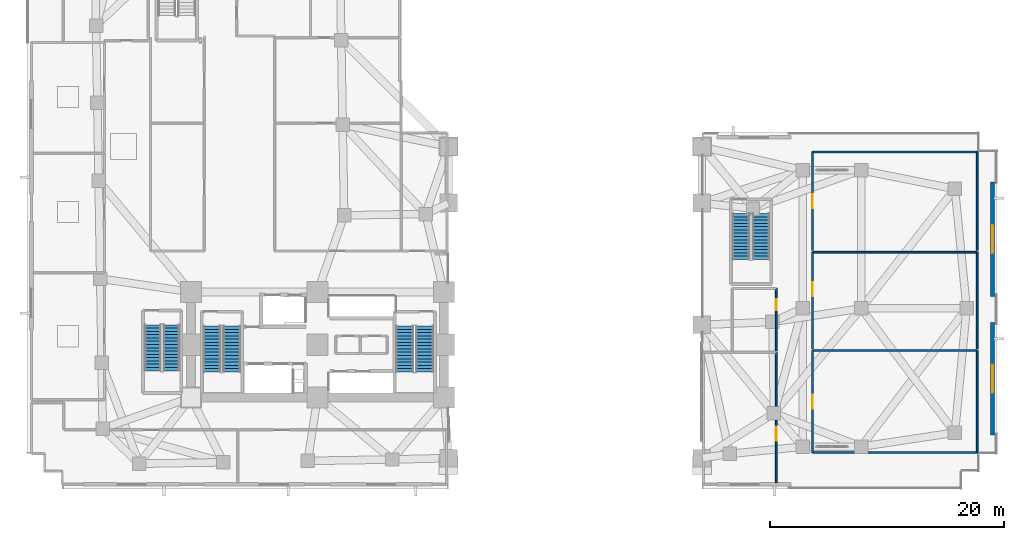
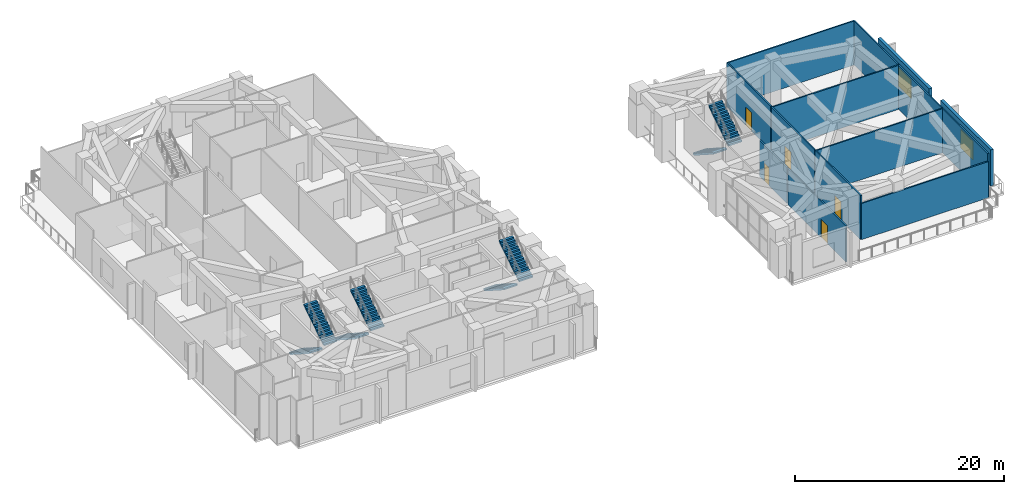
# One storey, part 11 of 18: 14 walls, 8 stair flights, 5 doors, 2 windows, 7 openings, 4 elements without a shape of their own.
"""IFC4 building model written with IfcOpenShell, lengths in metres."""

from ifc_helpers import new_model, si_unit, direction, frame, frame_2d, origin, place, context, subcontext, project, spatial, polyline, rectangle, outline, extrude, material, layer, layer_set, type_object, element, fill, aggregate, save


model = new_model("IFC4")

# Units and contexts
model_context = context("Model", 3, precision=1e-05, world=origin(), true_north=direction((0.0, 1.0)))
body_context = subcontext(model_context, "Body", "Model", "MODEL_VIEW")
ifc_project = project(units=[si_unit("LENGTHUNIT", "METRE"), si_unit("AREAUNIT", "SQUARE_METRE"), si_unit("VOLUMEUNIT", "CUBIC_METRE"), si_unit("PLANEANGLEUNIT", "RADIAN"), si_unit("MASSUNIT", "GRAM", prefix="KILO")], contexts=[model_context])

# Site, building, storey
site_placement = place(None, origin())
site = spatial("IfcSite", under=ifc_project, at=site_placement, CompositionType="ELEMENT")
building_placement = place(site_placement, origin())
building = spatial("IfcBuilding", under=site, at=building_placement, Name="Gaonmaruhae Medical Tower", CompositionType="ELEMENT")
storey_placement = place(building_placement, frame((0.0, 0.0, 10.800048828125)))
storey = spatial("IfcBuildingStorey", under=building, at=storey_placement, Name="L02", CompositionType="ELEMENT", Elevation=10.800048828125)

# Wall, opening, window
ifc_material_1 = material(Name="Precast concrete C45/55", Category="concrete")
ifc_layer_1 = layer(ifc_material_1, 0.320068359375)
ifc_layer_set_1 = layer_set([ifc_layer_1], Name="Precast concrete C45/55")
wall_type_1 = type_object("IfcWallType", Name="EW-320 Lower Precast Masonry-Frame Facade Wall", PredefinedType="SOLIDWALL", material=ifc_layer_set_1)
wall_1_placement = place(storey_placement, frame((82.39990234375, 14.199951171875, 0.0), z_axis=(0.0, 0.0, 1.0), x_axis=(0.0, -1.0, 0.0)))
wall_1 = element("IfcWall", 1, at=wall_1_placement, inside=storey, type_object=wall_type_1, Name="L02 Precast Facade Wall PB-E1", PredefinedType="SOLIDWALL", context=body_context, shape_type="SweptSolid", body=[
    extrude(rectangle(XDim=9.599853515625, YDim=0.320068359375, at=frame_2d((4.7998046875, 0.0))), origin(), (0.0, 0.0, 1.0), 4.22998046875),
])
opening_1_placement = place(wall_1_placement, frame((3.60009765625, 0.0, 0.800048828125)))
opening_1 = element("IfcOpeningElement", 2, at=opening_1_placement, cuts=wall_1, Name="Opening WN-06", PredefinedType="OPENING", context=body_context, shape_type="SweptSolid", body=[
    extrude(rectangle(XDim=2.39990234375, YDim=2.199951171875, at=frame_2d((1.199951171875, 1.10009765625))), frame((0.0, 0.169921875, 0.0), z_axis=(0.0, -1.0, 0.0), x_axis=(1.0, 0.0, 0.0)), (0.0, 0.0, 1.0), 0.340087890625),
])
ifc_material_2 = material(Name="Anodised aluminium and Low-E double glazing", Category="aluminium")
window_type = type_object("IfcWindowType", Name="WN-06 Podium Diagnostic Punched Window 2400x2200", PartitioningType="SINGLE_PANEL", PredefinedType="WINDOW", material=ifc_material_2)
window_1_placement = place(opening_1_placement, origin())
window_1 = element("IfcWindow", 3, at=window_1_placement, inside=storey, type_object=window_type, Name="L02 Podium Punched Window PB-E1", OverallHeight=2.199951171875, OverallWidth=2.39990234375, PartitioningType="SINGLE_PANEL", PredefinedType="WINDOW", context=body_context, shape_type="SweptSolid", body=[
    extrude(rectangle(XDim=2.39990234375, YDim=2.199951171875, at=frame_2d((1.199951171875, 1.10009765625))), frame((0.0, 0.030029296875, 0.0), z_axis=(0.0, -1.0, 0.0), x_axis=(1.0, 0.0, 0.0)), (0.0, 0.0, 1.0), 0.06005859375),
])
fill(opening_1, window_1)

wall_2_placement = place(storey_placement, frame((82.39990234375, 26.199951171875, 0.0), z_axis=(0.0, 0.0, 1.0), x_axis=(0.0, -1.0, 0.0)))
wall_2 = element("IfcWall", 4, at=wall_2_placement, inside=storey, type_object=wall_type_1, Name="L02 Precast Facade Wall PB-E2", PredefinedType="SOLIDWALL", context=body_context, shape_type="SweptSolid", body=[
    extrude(rectangle(XDim=9.800048828125, YDim=0.320068359375, at=frame_2d((4.89990234375, 0.0))), origin(), (0.0, 0.0, 1.0), 4.22998046875),
])
opening_2_placement = place(wall_2_placement, frame((3.699951171875, 0.0, 0.800048828125)))
opening_2 = element("IfcOpeningElement", 5, at=opening_2_placement, cuts=wall_2, Name="Opening WN-06", PredefinedType="OPENING", context=body_context, shape_type="SweptSolid", body=[
    extrude(rectangle(XDim=2.39990234375, YDim=2.199951171875, at=frame_2d((1.199951171875, 1.10009765625))), frame((0.0, 0.169921875, 0.0), z_axis=(0.0, -1.0, 0.0), x_axis=(1.0, 0.0, 0.0)), (0.0, 0.0, 1.0), 0.340087890625),
])
window_2_placement = place(opening_2_placement, origin())
window_2 = element("IfcWindow", 6, at=window_2_placement, inside=storey, type_object=window_type, Name="L02 Podium Punched Window PB-E2", OverallHeight=2.199951171875, OverallWidth=2.39990234375, PartitioningType="SINGLE_PANEL", PredefinedType="WINDOW", context=body_context, shape_type="SweptSolid", body=[
    extrude(rectangle(XDim=2.39990234375, YDim=2.199951171875, at=frame_2d((1.199951171875, 1.10009765625))), frame((0.0, 0.030029296875, 0.0), z_axis=(0.0, -1.0, 0.0), x_axis=(1.0, 0.0, 0.0)), (0.0, 0.0, 1.0), 0.06005859375),
])
fill(opening_2, window_2)

# Walls
ifc_material_3 = material(Name="Gypsum board partition", Category="gypsum")
ifc_layer_2 = layer(ifc_material_3, 0.14990234375)
ifc_layer_set_2 = layer_set([ifc_layer_2], Name="Gypsum board partition")
wall_type_2 = type_object("IfcWallType", Name="PW-150 Rated Clinical Corridor Partition", PredefinedType="PARTITIONING", material=ifc_layer_set_2)
wall_3_placement = place(storey_placement, frame((67.050048828125, 11.800048828125, 0.0), z_axis=(0.0, 0.0, 1.0), x_axis=(1.0, 0.0, 0.0)))
element("IfcWall", 7, at=wall_3_placement, inside=storey, type_object=wall_type_2, Name="L02 Interior Partition L02-EA1-23", PredefinedType="PARTITIONING", context=body_context, shape_type="SweptSolid", body=[
    extrude(rectangle(XDim=14.050048828125, YDim=0.14990234375, at=frame_2d((7.02490234375, 0.0))), origin(), (0.0, 0.0, 1.0), 5.14990234375),
])
wall_4_placement = place(storey_placement, frame((81.10009765625, 11.800048828125, 0.0), z_axis=(0.0, 0.0, 1.0), x_axis=(0.0, -1.0, 0.0)))
element("IfcWall", 8, at=wall_4_placement, inside=storey, type_object=wall_type_2, Name="L02 Interior Partition L02-EA1-24", PredefinedType="PARTITIONING", context=body_context, shape_type="SweptSolid", body=[
    extrude(rectangle(XDim=8.699951171875, YDim=0.14990234375, at=frame_2d((4.35009765625, 0.0))), origin(), (0.0, 0.0, 1.0), 5.14990234375),
])
wall_5_placement = place(storey_placement, frame((81.10009765625, 3.10009765625, 0.0), z_axis=(0.0, 0.0, 1.0), x_axis=(-1.0, 0.0, 0.0)))
element("IfcWall", 9, at=wall_5_placement, inside=storey, type_object=wall_type_2, Name="L02 Interior Partition L02-EA1-25", PredefinedType="PARTITIONING", context=body_context, shape_type="SweptSolid", body=[
    extrude(rectangle(XDim=14.050048828125, YDim=0.14990234375, at=frame_2d((7.02490234375, 0.0))), origin(), (0.0, 0.0, 1.0), 4.23486328125),
])

# Wall, opening, door
wall_6_placement = place(storey_placement, frame((67.050048828125, 3.10009765625, 0.0), z_axis=(0.0, 0.0, 1.0), x_axis=(0.0, 1.0, 0.0)))
wall_6 = element("IfcWall", 10, at=wall_6_placement, inside=storey, type_object=wall_type_2, Name="L02 Interior Partition L02-EA1-26", PredefinedType="PARTITIONING", context=body_context, shape_type="SweptSolid", body=[
    extrude(rectangle(XDim=8.699951171875, YDim=0.14990234375, at=frame_2d((4.35009765625, 0.0))), origin(), (0.0, 0.0, 1.0), 5.14990234375),
])
opening_3_placement = place(wall_6_placement, frame((3.75, 0.0, 0.0)))
opening_3 = element("IfcOpeningElement", 11, at=opening_3_placement, cuts=wall_6, Name="Opening CD-02", PredefinedType="OPENING", context=body_context, shape_type="SweptSolid", body=[
    extrude(rectangle(XDim=1.199951171875, YDim=2.14990234375, at=frame_2d((0.60009765625, 1.074951171875))), frame((0.0, 0.0849609375, 0.0), z_axis=(0.0, -1.0, 0.0), x_axis=(1.0, 0.0, 0.0)), (0.0, 0.0, 1.0), 0.169921875),
])
ifc_material_4 = material(Name="Antimicrobial laminate timber fire door", Category="wood")
door_type_1 = type_object("IfcDoorType", Name="CD-02 Clinical Treatment & Procedure Door 1200x2150", OperationType="NOTDEFINED", PredefinedType="DOOR", material=ifc_material_4)
door_1_placement = place(opening_3_placement, origin())
door_1 = element("IfcDoor", 12, at=door_1_placement, inside=storey, type_object=door_type_1, Name="L02 L02 Molecular Pathology Laboratory Door", OperationType="SINGLE_SWING_LEFT", OverallHeight=2.14990234375, OverallWidth=1.199951171875, PredefinedType="DOOR", context=body_context, shape_type="SweptSolid", body=[
    extrude(rectangle(XDim=1.199951171875, YDim=2.14990234375, at=frame_2d((0.60009765625, 1.074951171875))), frame((0.0, 0.02490234375, 0.0), z_axis=(0.0, -1.0, 0.0), x_axis=(1.0, 0.0, 0.0)), (0.0, 0.0, 1.0), 0.050048828125),
])
fill(opening_3, door_1)

# Walls
wall_7_placement = place(storey_placement, frame((67.050048828125, 20.199951171875, 0.0), z_axis=(0.0, 0.0, 1.0), x_axis=(1.0, 0.0, 0.0)))
element("IfcWall", 13, at=wall_7_placement, inside=storey, type_object=wall_type_2, Name="L02 Interior Partition L02-EA2-27", PredefinedType="PARTITIONING", context=body_context, shape_type="SweptSolid", body=[
    extrude(rectangle(XDim=14.050048828125, YDim=0.14990234375, at=frame_2d((7.02490234375, 0.0))), origin(), (0.0, 0.0, 1.0), 5.14990234375),
])
wall_8_placement = place(storey_placement, frame((81.10009765625, 20.199951171875, 0.0), z_axis=(0.0, 0.0, 1.0), x_axis=(0.0, -1.0, 0.0)))
element("IfcWall", 14, at=wall_8_placement, inside=storey, type_object=wall_type_2, Name="L02 Interior Partition L02-EA2-28", PredefinedType="PARTITIONING", context=body_context, shape_type="SweptSolid", body=[
    extrude(rectangle(XDim=8.25, YDim=0.14990234375, at=frame_2d((4.125, 0.0))), origin(), (0.0, 0.0, 1.0), 5.14990234375),
])

# Wall, opening, door
wall_9_placement = place(storey_placement, frame((67.050048828125, 11.949951171875, 0.0), z_axis=(0.0, 0.0, 1.0), x_axis=(0.0, 1.0, 0.0)))
wall_9 = element("IfcWall", 15, at=wall_9_placement, inside=storey, type_object=wall_type_2, Name="L02 Interior Partition L02-EA2-29", PredefinedType="PARTITIONING", context=body_context, shape_type="SweptSolid", body=[
    extrude(rectangle(XDim=8.25, YDim=0.14990234375, at=frame_2d((4.125, 0.0))), origin(), (0.0, 0.0, 1.0), 5.14990234375),
])
opening_4_placement = place(wall_9_placement, frame((4.49853515625, 0.0, 0.0)))
opening_4 = element("IfcOpeningElement", 16, at=opening_4_placement, cuts=wall_9, Name="Opening CD-02", PredefinedType="OPENING", context=body_context, shape_type="SweptSolid", body=[
    extrude(rectangle(XDim=1.199951171875, YDim=2.14990234375, at=frame_2d((0.60009765625, 1.074951171875))), frame((0.0, 0.0849609375, 0.0), z_axis=(0.0, -1.0, 0.0), x_axis=(1.0, 0.0, 0.0)), (0.0, 0.0, 1.0), 0.169921875),
])
door_2_placement = place(opening_4_placement, origin())
door_2 = element("IfcDoor", 17, at=door_2_placement, inside=storey, type_object=door_type_1, Name="L02 L02 Clinical Research Seminar Room Door", OperationType="SINGLE_SWING_RIGHT", OverallHeight=2.14990234375, OverallWidth=1.199951171875, PredefinedType="DOOR", context=body_context, shape_type="SweptSolid", body=[
    extrude(rectangle(XDim=1.199951171875, YDim=2.14990234375, at=frame_2d((0.60009765625, 1.074951171875))), frame((0.0, 0.02490234375, 0.0), z_axis=(0.0, -1.0, 0.0), x_axis=(1.0, 0.0, 0.0)), (0.0, 0.0, 1.0), 0.050048828125),
])
fill(opening_4, door_2)

# Walls
wall_10_placement = place(storey_placement, frame((67.050048828125, 28.75, 0.0), z_axis=(0.0, 0.0, 1.0), x_axis=(1.0, 0.0, 0.0)))
element("IfcWall", 18, at=wall_10_placement, inside=storey, type_object=wall_type_2, Name="L02 Interior Partition L02-EA3-30", PredefinedType="PARTITIONING", context=body_context, shape_type="SweptSolid", body=[
    extrude(rectangle(XDim=14.050048828125, YDim=0.14990234375, at=frame_2d((7.02490234375, 0.0))), origin(), (0.0, 0.0, 1.0), 5.14990234375),
])
wall_11_placement = place(storey_placement, frame((81.10009765625, 28.75, 0.0), z_axis=(0.0, 0.0, 1.0), x_axis=(0.0, -1.0, 0.0)))
element("IfcWall", 19, at=wall_11_placement, inside=storey, type_object=wall_type_2, Name="L02 Interior Partition L02-EA3-31", PredefinedType="PARTITIONING", context=body_context, shape_type="SweptSolid", body=[
    extrude(rectangle(XDim=8.39990234375, YDim=0.14990234375, at=frame_2d((4.199951171875, 0.0))), origin(), (0.0, 0.0, 1.0), 5.14990234375),
])

# Wall, opening, door
wall_12_placement = place(storey_placement, frame((67.050048828125, 20.35009765625, 0.0), z_axis=(0.0, 0.0, 1.0), x_axis=(0.0, 1.0, 0.0)))
wall_12 = element("IfcWall", 20, at=wall_12_placement, inside=storey, type_object=wall_type_2, Name="L02 Interior Partition L02-EA3-32", PredefinedType="PARTITIONING", context=body_context, shape_type="SweptSolid", body=[
    extrude(rectangle(XDim=8.39990234375, YDim=0.14990234375, at=frame_2d((4.199951171875, 0.0))), origin(), (0.0, 0.0, 1.0), 5.14990234375),
])
opening_5_placement = place(wall_12_placement, frame((3.60009765625, 0.0, 0.0)))
opening_5 = element("IfcOpeningElement", 21, at=opening_5_placement, cuts=wall_12, Name="Opening CD-02", PredefinedType="OPENING", context=body_context, shape_type="SweptSolid", body=[
    extrude(rectangle(XDim=1.199951171875, YDim=2.14990234375, at=frame_2d((0.60009765625, 1.074951171875))), frame((0.0, 0.0849609375, 0.0), z_axis=(0.0, -1.0, 0.0), x_axis=(1.0, 0.0, 0.0)), (0.0, 0.0, 1.0), 0.169921875),
])
door_3_placement = place(opening_5_placement, origin())
door_3 = element("IfcDoor", 22, at=door_3_placement, inside=storey, type_object=door_type_1, Name="L02 L02 Biomedical Engineering Suite Door", OperationType="SINGLE_SWING_RIGHT", OverallHeight=2.14990234375, OverallWidth=1.199951171875, PredefinedType="DOOR", context=body_context, shape_type="SweptSolid", body=[
    extrude(rectangle(XDim=1.199951171875, YDim=2.14990234375, at=frame_2d((0.60009765625, 1.074951171875))), frame((0.0, 0.02490234375, 0.0), z_axis=(0.0, -1.0, 0.0), x_axis=(1.0, 0.0, 0.0)), (0.0, 0.0, 1.0), 0.050048828125),
])
fill(opening_5, door_3)

wall_13_placement = place(storey_placement, frame((63.949951171875, 11.64990234375, 0.0), z_axis=(0.0, 0.0, 1.0), x_axis=(0.0, -1.0, 0.0)))
wall_13 = element("IfcWall", 23, at=wall_13_placement, inside=storey, type_object=wall_type_2, Name="L02 Interior Partition L02-EA4-34", PredefinedType="PARTITIONING", context=body_context, shape_type="SweptSolid", body=[
    extrude(rectangle(XDim=11.114990234375, YDim=0.14990234375, at=frame_2d((5.5576171875, 0.0))), origin(), (0.0, 0.0, 1.0), 4.23486328125),
])
opening_6_placement = place(wall_13_placement, frame((6.36083984375, 0.0, 0.0)))
opening_6 = element("IfcOpeningElement", 24, at=opening_6_placement, cuts=wall_13, Name="Opening CD-02", PredefinedType="OPENING", context=body_context, shape_type="SweptSolid", body=[
    extrude(rectangle(XDim=1.199951171875, YDim=2.14990234375, at=frame_2d((0.60009765625, 1.074951171875))), frame((0.0, 0.0849609375, 0.0), z_axis=(0.0, -1.0, 0.0), x_axis=(1.0, 0.0, 0.0)), (0.0, 0.0, 1.0), 0.169921875),
])
door_4_placement = place(opening_6_placement, origin())
door_4 = element("IfcDoor", 25, at=door_4_placement, inside=storey, type_object=door_type_1, Name="L02 L02 Diagnostic Specimen Processing Suite Door", OperationType="SINGLE_SWING_RIGHT", OverallHeight=2.14990234375, OverallWidth=1.199951171875, PredefinedType="DOOR", context=body_context, shape_type="SweptSolid", body=[
    extrude(rectangle(XDim=1.199951171875, YDim=2.14990234375, at=frame_2d((0.60009765625, 1.074951171875))), frame((0.0, 0.02490234375, 0.0), z_axis=(0.0, -1.0, 0.0), x_axis=(1.0, 0.0, 0.0)), (0.0, 0.0, 1.0), 0.050048828125),
])
fill(opening_6, door_4)

wall_14_placement = place(storey_placement, frame((63.949951171875, 17.10009765625, 0.0), z_axis=(0.0, 0.0, 1.0), x_axis=(0.0, -1.0, 0.0)))
wall_14 = element("IfcWall", 26, at=wall_14_placement, inside=storey, type_object=wall_type_2, Name="L02 Interior Partition L02-EAW-38", PredefinedType="PARTITIONING", context=body_context, shape_type="SweptSolid", body=[
    extrude(rectangle(XDim=5.300048828125, YDim=0.14990234375, at=frame_2d((2.64990234375, 0.0))), origin(), (0.0, 0.0, 1.0), 4.23486328125),
])
opening_7_placement = place(wall_14_placement, frame((0.929443359375, 0.0, 0.0)))
opening_7 = element("IfcOpeningElement", 27, at=opening_7_placement, cuts=wall_14, Name="Opening UD-01", PredefinedType="OPENING", context=body_context, shape_type="SweptSolid", body=[
    extrude(rectangle(XDim=0.919921875, YDim=2.10009765625, at=frame_2d((0.4599609375, 1.050048828125))), frame((0.0, 0.0849609375, 0.0), z_axis=(0.0, -1.0, 0.0), x_axis=(1.0, 0.0, 0.0)), (0.0, 0.0, 1.0), 0.169921875),
])
ifc_material_5 = material(Name="Powder-coated steel utility door", Category="steel")
door_type_2 = type_object("IfcDoorType", Name="UD-01 Toilet, Utility & Housekeeping Door 920x2100", OperationType="NOTDEFINED", PredefinedType="DOOR", material=ifc_material_5)
door_5_placement = place(opening_7_placement, origin())
door_5 = element("IfcDoor", 28, at=door_5_placement, inside=storey, type_object=door_type_2, Name="L02 L02 East Annex Accessible Toilet Door", OperationType="SINGLE_SWING_LEFT", OverallHeight=2.10009765625, OverallWidth=0.919921875, PredefinedType="DOOR", context=body_context, shape_type="SweptSolid", body=[
    extrude(rectangle(XDim=0.919921875, YDim=2.10009765625, at=frame_2d((0.4599609375, 1.050048828125))), frame((0.0, 0.02490234375, 0.0), z_axis=(0.0, -1.0, 0.0), x_axis=(1.0, 0.0, 0.0)), (0.0, 0.0, 1.0), 0.050048828125),
])
fill(opening_7, door_5)

# Stair, stair flights
ifc_material_6 = material(Name="Concrete C40/50", Category="concrete")
stair_type_1 = type_object("IfcStairType", Name="ST-T1 Primary Core Escape Dogleg Stair", PredefinedType="TWO_QUARTER_TURN_STAIR", material=ifc_material_6)
stair_1_placement = place(storey_placement, origin())
stair_1 = element("IfcStair", 29, at=stair_1_placement, inside=storey, type_object=stair_type_1, Name="L02 Protected Escape Stair ST-01", PredefinedType="TWO_QUARTER_TURN_STAIR")
stair_flight_type_1 = type_object("IfcStairFlightType", Name="SF-T1 Primary Core Precast Stair Flight", PredefinedType="STRAIGHT", material=ifc_material_6)
stair_flight_1_placement = place(storey_placement, frame((15.800048828125, 13.89990234375, 0.0), z_axis=(0.0, 0.0, 1.0), x_axis=(0.0, -1.0, 0.0)))
stair_flight_1 = element("IfcStairFlight", 30, at=stair_flight_1_placement, type_object=stair_flight_type_1, Name="ST-01 flight 1", NumberOfRisers=15, NumberOfTreads=14, PredefinedType="STRAIGHT", RiserHeight=0.18, TreadLength=0.28, context=body_context, shape_type="SweptSolid", body=[
    extrude(outline(polyline([(0.0, 0.0), (0.0, 0.179931640625), (0.280029296875, 0.179931640625), (0.280029296875, 0.360107421875), (0.56005859375, 0.360107421875), (0.56005859375, 0.5400390625), (0.840087890625, 0.5400390625), (0.840087890625, 0.719970703125), (1.1201171875, 0.719970703125), (1.1201171875, 0.89990234375), (1.39990234375, 0.89990234375), (1.39990234375, 1.080078125), (1.679931640625, 1.080078125), (1.679931640625, 1.260009765625), (1.9599609375, 1.260009765625), (1.9599609375, 1.43994140625), (2.239990234375, 1.43994140625), (2.239990234375, 1.6201171875), (2.52001953125, 1.6201171875), (2.52001953125, 1.800048828125), (2.800048828125, 1.800048828125), (2.800048828125, 1.97998046875), (3.080078125, 1.97998046875), (3.080078125, 2.159912109375), (3.360107421875, 2.159912109375), (3.360107421875, 2.340087890625), (3.639892578125, 2.340087890625), (3.639892578125, 2.52001953125), (3.919921875, 2.52001953125), (3.919921875, 2.699951171875), (3.919921875, 2.341796875), (0.277099609375, 0.0), (0.0, 0.0)])), frame((0.0, 0.75, 0.0), z_axis=(0.0, -1.0, 0.0), x_axis=(1.0, 0.0, 0.0)), (0.0, 0.0, 1.0), 1.5),
])
stair_flight_2_placement = place(storey_placement, frame((17.5, 9.97998046875, 2.699951171875), z_axis=(0.0, 0.0, 1.0), x_axis=(0.0, 1.0, 0.0)))
stair_flight_2 = element("IfcStairFlight", 31, at=stair_flight_2_placement, type_object=stair_flight_type_1, Name="ST-01 flight 2", NumberOfRisers=15, NumberOfTreads=14, PredefinedType="STRAIGHT", RiserHeight=0.18, TreadLength=0.28, context=body_context, shape_type="SweptSolid", body=[
    extrude(outline(polyline([(0.0, 0.0), (0.0, 0.179931640625), (0.280029296875, 0.179931640625), (0.280029296875, 0.360107421875), (0.56005859375, 0.360107421875), (0.56005859375, 0.5400390625), (0.840087890625, 0.5400390625), (0.840087890625, 0.719970703125), (1.1201171875, 0.719970703125), (1.1201171875, 0.89990234375), (1.39990234375, 0.89990234375), (1.39990234375, 1.080078125), (1.679931640625, 1.080078125), (1.679931640625, 1.260009765625), (1.9599609375, 1.260009765625), (1.9599609375, 1.43994140625), (2.239990234375, 1.43994140625), (2.239990234375, 1.6201171875), (2.52001953125, 1.6201171875), (2.52001953125, 1.800048828125), (2.800048828125, 1.800048828125), (2.800048828125, 1.97998046875), (3.080078125, 1.97998046875), (3.080078125, 2.159912109375), (3.360107421875, 2.159912109375), (3.360107421875, 2.340087890625), (3.639892578125, 2.340087890625), (3.639892578125, 2.52001953125), (3.919921875, 2.52001953125), (3.919921875, 2.699951171875), (3.919921875, 2.341796875), (0.277099609375, 0.0), (0.0, 0.0)])), frame((0.0, 0.75, 0.0), z_axis=(0.0, -1.0, 0.0), x_axis=(1.0, 0.0, 0.0)), (0.0, 0.0, 1.0), 1.5),
])
aggregate(stair_1, [stair_flight_1, stair_flight_2])

stair_2_placement = place(storey_placement, origin())
stair_2 = element("IfcStair", 32, at=stair_2_placement, inside=storey, type_object=stair_type_1, Name="L02 Protected Escape Stair ST-02", PredefinedType="TWO_QUARTER_TURN_STAIR")
stair_flight_3_placement = place(storey_placement, frame((32.25, 13.89990234375, 0.0), z_axis=(0.0, 0.0, 1.0), x_axis=(0.0, -1.0, 0.0)))
stair_flight_3 = element("IfcStairFlight", 33, at=stair_flight_3_placement, type_object=stair_flight_type_1, Name="ST-02 flight 1", NumberOfRisers=15, NumberOfTreads=14, PredefinedType="STRAIGHT", RiserHeight=0.18, TreadLength=0.28, context=body_context, shape_type="SweptSolid", body=[
    extrude(outline(polyline([(0.0, 0.0), (0.0, 0.179931640625), (0.280029296875, 0.179931640625), (0.280029296875, 0.360107421875), (0.56005859375, 0.360107421875), (0.56005859375, 0.5400390625), (0.840087890625, 0.5400390625), (0.840087890625, 0.719970703125), (1.1201171875, 0.719970703125), (1.1201171875, 0.89990234375), (1.39990234375, 0.89990234375), (1.39990234375, 1.080078125), (1.679931640625, 1.080078125), (1.679931640625, 1.260009765625), (1.9599609375, 1.260009765625), (1.9599609375, 1.43994140625), (2.239990234375, 1.43994140625), (2.239990234375, 1.6201171875), (2.52001953125, 1.6201171875), (2.52001953125, 1.800048828125), (2.800048828125, 1.800048828125), (2.800048828125, 1.97998046875), (3.080078125, 1.97998046875), (3.080078125, 2.159912109375), (3.360107421875, 2.159912109375), (3.360107421875, 2.340087890625), (3.639892578125, 2.340087890625), (3.639892578125, 2.52001953125), (3.919921875, 2.52001953125), (3.919921875, 2.699951171875), (3.919921875, 2.341796875), (0.277099609375, 0.0), (0.0, 0.0)])), frame((0.0, 0.75, 0.0), z_axis=(0.0, -1.0, 0.0), x_axis=(1.0, 0.0, 0.0)), (0.0, 0.0, 1.0), 1.5),
])
stair_flight_4_placement = place(storey_placement, frame((33.949951171875, 9.97998046875, 2.699951171875), z_axis=(0.0, 0.0, 1.0), x_axis=(0.0, 1.0, 0.0)))
stair_flight_4 = element("IfcStairFlight", 34, at=stair_flight_4_placement, type_object=stair_flight_type_1, Name="ST-02 flight 2", NumberOfRisers=15, NumberOfTreads=14, PredefinedType="STRAIGHT", RiserHeight=0.18, TreadLength=0.28, context=body_context, shape_type="SweptSolid", body=[
    extrude(outline(polyline([(0.0, 0.0), (0.0, 0.179931640625), (0.280029296875, 0.179931640625), (0.280029296875, 0.360107421875), (0.56005859375, 0.360107421875), (0.56005859375, 0.5400390625), (0.840087890625, 0.5400390625), (0.840087890625, 0.719970703125), (1.1201171875, 0.719970703125), (1.1201171875, 0.89990234375), (1.39990234375, 0.89990234375), (1.39990234375, 1.080078125), (1.679931640625, 1.080078125), (1.679931640625, 1.260009765625), (1.9599609375, 1.260009765625), (1.9599609375, 1.43994140625), (2.239990234375, 1.43994140625), (2.239990234375, 1.6201171875), (2.52001953125, 1.6201171875), (2.52001953125, 1.800048828125), (2.800048828125, 1.800048828125), (2.800048828125, 1.97998046875), (3.080078125, 1.97998046875), (3.080078125, 2.159912109375), (3.360107421875, 2.159912109375), (3.360107421875, 2.340087890625), (3.639892578125, 2.340087890625), (3.639892578125, 2.52001953125), (3.919921875, 2.52001953125), (3.919921875, 2.699951171875), (3.919921875, 2.341796875), (0.277099609375, 0.0), (0.0, 0.0)])), frame((0.0, 0.75, 0.0), z_axis=(0.0, -1.0, 0.0), x_axis=(1.0, 0.0, 0.0)), (0.0, 0.0, 1.0), 1.5),
])
aggregate(stair_2, [stair_flight_3, stair_flight_4])

stair_type_2 = type_object("IfcStairType", Name="ST-T2 Zone 1 Escape Dogleg Stair", PredefinedType="TWO_QUARTER_TURN_STAIR", material=ifc_material_6)
stair_3_placement = place(storey_placement, origin())
stair_3 = element("IfcStair", 35, at=stair_3_placement, inside=storey, type_object=stair_type_2, Name="L02 Protected Escape Stair ST-03", PredefinedType="TWO_QUARTER_TURN_STAIR")
stair_flight_type_2 = type_object("IfcStairFlightType", Name="SF-T2 Zone 1 Precast Stair Flight", PredefinedType="STRAIGHT", material=ifc_material_6)
stair_flight_5_placement = place(storey_placement, frame((10.75, 14.0, 0.0), z_axis=(0.0, 0.0, 1.0), x_axis=(0.0, -1.0, 0.0)))
stair_flight_5 = element("IfcStairFlight", 36, at=stair_flight_5_placement, type_object=stair_flight_type_2, Name="ST-03 flight 1", NumberOfRisers=15, NumberOfTreads=14, PredefinedType="STRAIGHT", RiserHeight=0.18, TreadLength=0.28, context=body_context, shape_type="SweptSolid", body=[
    extrude(outline(polyline([(0.0, 0.0), (0.0, 0.179931640625), (0.280029296875, 0.179931640625), (0.280029296875, 0.360107421875), (0.56005859375, 0.360107421875), (0.56005859375, 0.5400390625), (0.840087890625, 0.5400390625), (0.840087890625, 0.719970703125), (1.1201171875, 0.719970703125), (1.1201171875, 0.89990234375), (1.39990234375, 0.89990234375), (1.39990234375, 1.080078125), (1.679931640625, 1.080078125), (1.679931640625, 1.260009765625), (1.9599609375, 1.260009765625), (1.9599609375, 1.43994140625), (2.239990234375, 1.43994140625), (2.239990234375, 1.6201171875), (2.52001953125, 1.6201171875), (2.52001953125, 1.800048828125), (2.800048828125, 1.800048828125), (2.800048828125, 1.97998046875), (3.080078125, 1.97998046875), (3.080078125, 2.159912109375), (3.360107421875, 2.159912109375), (3.360107421875, 2.340087890625), (3.639892578125, 2.340087890625), (3.639892578125, 2.52001953125), (3.919921875, 2.52001953125), (3.919921875, 2.699951171875), (3.919921875, 2.341796875), (0.277099609375, 0.0), (0.0, 0.0)])), frame((0.0, 0.699951171875, 0.0), z_axis=(0.0, -1.0, 0.0), x_axis=(1.0, 0.0, 0.0)), (0.0, 0.0, 1.0), 1.39990234375),
])
stair_flight_6_placement = place(storey_placement, frame((12.35009765625, 10.080078125, 2.699951171875), z_axis=(0.0, 0.0, 1.0), x_axis=(0.0, 1.0, 0.0)))
stair_flight_6 = element("IfcStairFlight", 37, at=stair_flight_6_placement, type_object=stair_flight_type_2, Name="ST-03 flight 2", NumberOfRisers=15, NumberOfTreads=14, PredefinedType="STRAIGHT", RiserHeight=0.18, TreadLength=0.28, context=body_context, shape_type="SweptSolid", body=[
    extrude(outline(polyline([(0.0, 0.0), (0.0, 0.179931640625), (0.280029296875, 0.179931640625), (0.280029296875, 0.360107421875), (0.56005859375, 0.360107421875), (0.56005859375, 0.5400390625), (0.840087890625, 0.5400390625), (0.840087890625, 0.719970703125), (1.1201171875, 0.719970703125), (1.1201171875, 0.89990234375), (1.39990234375, 0.89990234375), (1.39990234375, 1.080078125), (1.679931640625, 1.080078125), (1.679931640625, 1.260009765625), (1.9599609375, 1.260009765625), (1.9599609375, 1.43994140625), (2.239990234375, 1.43994140625), (2.239990234375, 1.6201171875), (2.52001953125, 1.6201171875), (2.52001953125, 1.800048828125), (2.800048828125, 1.800048828125), (2.800048828125, 1.97998046875), (3.080078125, 1.97998046875), (3.080078125, 2.159912109375), (3.360107421875, 2.159912109375), (3.360107421875, 2.340087890625), (3.639892578125, 2.340087890625), (3.639892578125, 2.52001953125), (3.919921875, 2.52001953125), (3.919921875, 2.699951171875), (3.919921875, 2.341796875), (0.277099609375, 0.0), (0.0, 0.0)])), frame((0.0, 0.699951171875, 0.0), z_axis=(0.0, -1.0, 0.0), x_axis=(1.0, 0.0, 0.0)), (0.0, 0.0, 1.0), 1.39990234375),
])
aggregate(stair_3, [stair_flight_5, stair_flight_6])

stair_type_3 = type_object("IfcStairType", Name="ST-T3 Podium Escape Dogleg Stair", PredefinedType="TWO_QUARTER_TURN_STAIR", material=ifc_material_6)
stair_4_placement = place(storey_placement, origin())
stair_4 = element("IfcStair", 38, at=stair_4_placement, inside=storey, type_object=stair_type_3, Name="L02 Protected Escape Stair ST-04", PredefinedType="TWO_QUARTER_TURN_STAIR")
stair_flight_type_3 = type_object("IfcStairFlightType", Name="SF-T3 Podium Precast Stair Flight", PredefinedType="STRAIGHT", material=ifc_material_6)
stair_flight_7_placement = place(storey_placement, frame((60.949951171875, 23.5, 0.0), z_axis=(0.0, 0.0, 1.0), x_axis=(0.0, -1.0, 0.0)))
stair_flight_7 = element("IfcStairFlight", 39, at=stair_flight_7_placement, type_object=stair_flight_type_3, Name="ST-04 flight 1", NumberOfRisers=15, NumberOfTreads=14, PredefinedType="STRAIGHT", RiserHeight=0.18, TreadLength=0.28, context=body_context, shape_type="SweptSolid", body=[
    extrude(outline(polyline([(0.0, 0.0), (0.0, 0.179931640625), (0.280029296875, 0.179931640625), (0.280029296875, 0.360107421875), (0.56005859375, 0.360107421875), (0.56005859375, 0.5400390625), (0.840087890625, 0.5400390625), (0.840087890625, 0.719970703125), (1.1201171875, 0.719970703125), (1.1201171875, 0.89990234375), (1.39990234375, 0.89990234375), (1.39990234375, 1.080078125), (1.679931640625, 1.080078125), (1.679931640625, 1.260009765625), (1.9599609375, 1.260009765625), (1.9599609375, 1.43994140625), (2.239990234375, 1.43994140625), (2.239990234375, 1.6201171875), (2.52001953125, 1.6201171875), (2.52001953125, 1.800048828125), (2.800048828125, 1.800048828125), (2.800048828125, 1.97998046875), (3.080078125, 1.97998046875), (3.080078125, 2.159912109375), (3.360107421875, 2.159912109375), (3.360107421875, 2.340087890625), (3.639892578125, 2.340087890625), (3.639892578125, 2.52001953125), (3.919921875, 2.52001953125), (3.919921875, 2.699951171875), (3.919921875, 2.341796875), (0.277099609375, 0.0), (0.0, 0.0)])), frame((0.0, 0.75, 0.0), z_axis=(0.0, -1.0, 0.0), x_axis=(1.0, 0.0, 0.0)), (0.0, 0.0, 1.0), 1.5),
])
stair_flight_8_placement = place(storey_placement, frame((62.64990234375, 19.580078125, 2.699951171875), z_axis=(0.0, 0.0, 1.0), x_axis=(0.0, 1.0, 0.0)))
stair_flight_8 = element("IfcStairFlight", 40, at=stair_flight_8_placement, type_object=stair_flight_type_3, Name="ST-04 flight 2", NumberOfRisers=15, NumberOfTreads=14, PredefinedType="STRAIGHT", RiserHeight=0.18, TreadLength=0.28, context=body_context, shape_type="SweptSolid", body=[
    extrude(outline(polyline([(0.0, 0.0), (0.0, 0.179931640625), (0.280029296875, 0.179931640625), (0.280029296875, 0.360107421875), (0.56005859375, 0.360107421875), (0.56005859375, 0.5400390625), (0.840087890625, 0.5400390625), (0.840087890625, 0.719970703125), (1.1201171875, 0.719970703125), (1.1201171875, 0.89990234375), (1.39990234375, 0.89990234375), (1.39990234375, 1.080078125), (1.679931640625, 1.080078125), (1.679931640625, 1.260009765625), (1.9599609375, 1.260009765625), (1.9599609375, 1.43994140625), (2.239990234375, 1.43994140625), (2.239990234375, 1.6201171875), (2.52001953125, 1.6201171875), (2.52001953125, 1.800048828125), (2.800048828125, 1.800048828125), (2.800048828125, 1.97998046875), (3.080078125, 1.97998046875), (3.080078125, 2.159912109375), (3.360107421875, 2.159912109375), (3.360107421875, 2.340087890625), (3.639892578125, 2.340087890625), (3.639892578125, 2.52001953125), (3.919921875, 2.52001953125), (3.919921875, 2.699951171875), (3.919921875, 2.341796875), (0.277099609375, 0.0), (0.0, 0.0)])), frame((0.0, 0.75, 0.0), z_axis=(0.0, -1.0, 0.0), x_axis=(1.0, 0.0, 0.0)), (0.0, 0.0, 1.0), 1.5),
])
aggregate(stair_4, [stair_flight_7, stair_flight_8])

save(model, "model.ifc")
